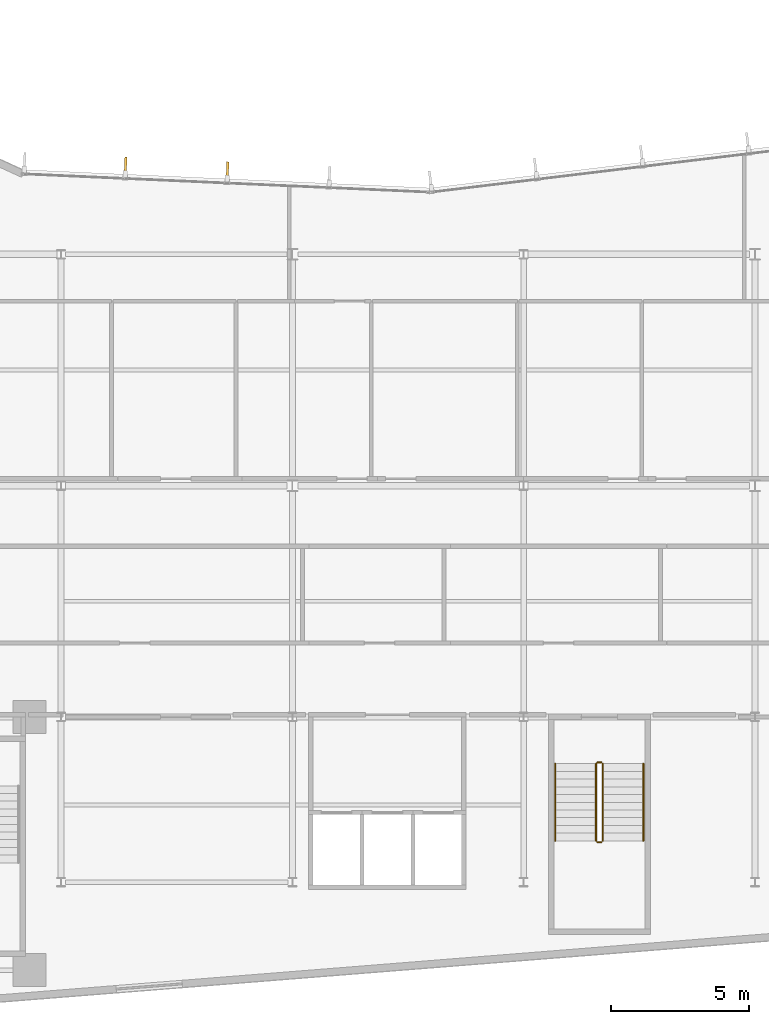
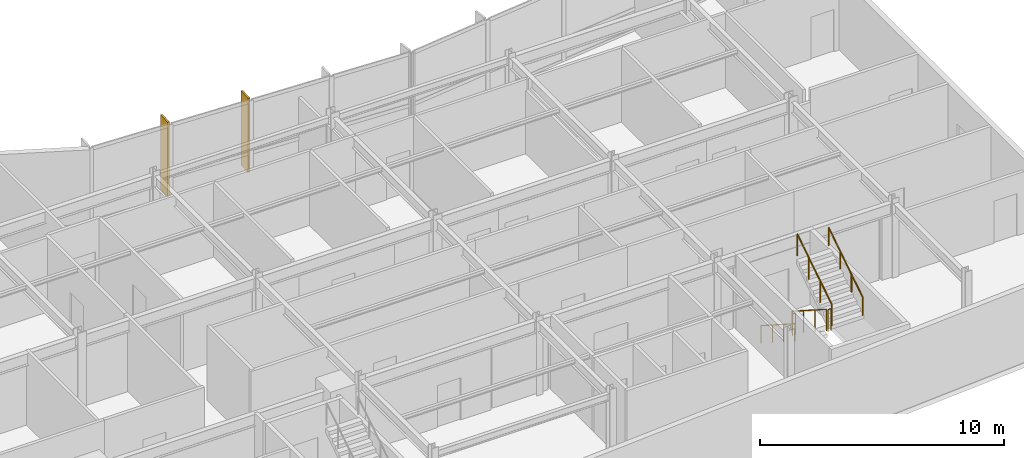
# One storey, part 14 of 17: 6 railings, 2 shading devices.
"""IFC4 building model written with IfcOpenShell, lengths in metres."""

from ifc_helpers import new_model, si_unit, direction, frame, origin, origin_2d, place, context, subcontext, project, spatial, rectangle, circle, extrude, material, layer, layer_set, type_object, element, save


model = new_model("IFC4")

# Units and contexts
model_context = context("Model", 3, precision=1e-05, world=origin(), true_north=direction((0.0, 1.0)))
body_context = subcontext(model_context, "Body", "Model", "MODEL_VIEW")
ifc_project = project(units=[si_unit("LENGTHUNIT", "METRE"), si_unit("AREAUNIT", "SQUARE_METRE"), si_unit("VOLUMEUNIT", "CUBIC_METRE"), si_unit("PLANEANGLEUNIT", "RADIAN"), si_unit("MASSUNIT", "GRAM", prefix="KILO")], contexts=[model_context])

# Site, building, storey
site_placement = place(None, origin())
site = spatial("IfcSite", under=ifc_project, at=site_placement, CompositionType="ELEMENT")
building_placement = place(site_placement, origin())
building = spatial("IfcBuilding", under=site, at=building_placement, Name="Varnakote Quay Hospital", CompositionType="ELEMENT")
storey_placement = place(building_placement, frame((0.0, 0.0, 134.949951171875)))
storey = spatial("IfcBuildingStorey", under=building, at=storey_placement, Name="L33", CompositionType="ELEMENT", Elevation=134.949951171875)

# Railings
ifc_material_1 = material(Name="Brushed stainless steel balustrade", Category="steel")
railing_type_1 = type_object("IfcRailingType", Name="RLG-STAIR-GUARD-1150", PredefinedType="GUARDRAIL", material=ifc_material_1)
railing_1_placement = place(storey_placement, frame((44.6298828125, 10.300048828125, 0.1796875)))
element("IfcRailing", 1, at=railing_1_placement, inside=storey, type_object=railing_type_1, Name="L33 ST-03 stair guard 1", PredefinedType="GUARDRAIL", context=body_context, shape_type="SweptSolid", body=[
    extrude(circle(Radius=0.02392578125, at=origin_2d()), frame((0.0, 0.0, 1.076171875), z_axis=(0.0, -0.841809871826, 0.539774156196), x_axis=(1.0, 0.0, 0.0)), (0.0, 0.0, 1.0), 3.326171875),
    extrude(circle(Radius=0.02099609375, at=origin_2d()), origin(), (0.0, 0.0, 1.0), 1.052001953125),
    extrude(circle(Radius=0.02099609375, at=origin_2d()), frame((0.0, -0.933349609375, 0.598388671875)), (0.0, 0.0, 1.0), 1.052001953125),
    extrude(circle(Radius=0.02099609375, at=origin_2d()), frame((0.0, -1.86669921875, 1.197021484375)), (0.0, 0.0, 1.0), 1.052001953125),
    extrude(circle(Radius=0.02099609375, at=origin_2d()), frame((0.0, -2.800048828125, 1.79541015625)), (0.0, 0.0, 1.0), 1.052001953125),
])
railing_2_placement = place(storey_placement, frame((44.679931640625, 7.449951171875, 1.97509765625)))
element("IfcRailing", 2, at=railing_2_placement, inside=storey, type_object=railing_type_1, Name="L33 ST-03 stair guard 2", PredefinedType="GUARDRAIL", context=body_context, shape_type="SweptSolid", body=[
    extrude(circle(Radius=0.02392578125, at=origin_2d()), frame((0.0, 0.0, 1.076171875), z_axis=(1.0, 0.0, 0.0), x_axis=(0.0, 1.0, 0.0)), (0.0, 0.0, 1.0), 0.14013671875),
    extrude(circle(Radius=0.02099609375, at=origin_2d()), origin(), (0.0, 0.0, 1.0), 1.052001953125),
    extrude(circle(Radius=0.02099609375, at=origin_2d()), frame((0.14013671875, 0.0, 0.0)), (0.0, 0.0, 1.0), 1.052001953125),
])
railing_3_placement = place(storey_placement, frame((44.8701171875, 7.5, 2.154541015625)))
element("IfcRailing", 3, at=railing_3_placement, inside=storey, type_object=railing_type_1, Name="L33 ST-03 stair guard 3", PredefinedType="GUARDRAIL", context=body_context, shape_type="SweptSolid", body=[
    extrude(circle(Radius=0.02392578125, at=origin_2d()), frame((0.0, 0.0, 1.076171875), z_axis=(0.0, 0.841809871826, 0.539774156196), x_axis=(-1.0, 0.0, 0.0)), (0.0, 0.0, 1.0), 3.326171875),
    extrude(circle(Radius=0.02099609375, at=origin_2d()), origin(), (0.0, 0.0, 1.0), 1.052001953125),
    extrude(circle(Radius=0.02099609375, at=origin_2d()), frame((0.0, 0.933349609375, 0.598388671875)), (0.0, 0.0, 1.0), 1.052001953125),
    extrude(circle(Radius=0.02099609375, at=origin_2d()), frame((0.0, 1.86669921875, 1.197021484375)), (0.0, 0.0, 1.0), 1.052001953125),
    extrude(circle(Radius=0.02099609375, at=origin_2d()), frame((0.0, 2.800048828125, 1.79541015625)), (0.0, 0.0, 1.0), 1.052001953125),
])
railing_4_placement = place(storey_placement, frame((44.679931640625, 10.35009765625, 0.0)))
element("IfcRailing", 4, at=railing_4_placement, inside=storey, type_object=railing_type_1, Name="L33 ST-03 stair guard 4", PredefinedType="GUARDRAIL", context=body_context, shape_type="SweptSolid", body=[
    extrude(circle(Radius=0.02392578125, at=origin_2d()), frame((0.0, 0.0, 1.076171875), z_axis=(1.0, 0.0, 0.0), x_axis=(0.0, 1.0, 0.0)), (0.0, 0.0, 1.0), 0.14013671875),
    extrude(circle(Radius=0.02099609375, at=origin_2d()), origin(), (0.0, 0.0, 1.0), 1.052001953125),
    extrude(circle(Radius=0.02099609375, at=origin_2d()), frame((0.14013671875, 0.0, 0.0)), (0.0, 0.0, 1.0), 1.052001953125),
])
ifc_material_2 = material(Name="Brushed stainless steel handrail", Category="steel")
railing_type_2 = type_object("IfcRailingType", Name="RLG-STAIR-HND-920", PredefinedType="HANDRAIL", material=ifc_material_2)
railing_5_placement = place(storey_placement, frame((43.14990234375, 10.300048828125, 0.1796875)))
element("IfcRailing", 5, at=railing_5_placement, inside=storey, type_object=railing_type_2, Name="L33 ST-03 stair handrail 1", PredefinedType="HANDRAIL", context=body_context, shape_type="SweptSolid", body=[
    extrude(circle(Radius=0.02392578125, at=origin_2d()), frame((0.0, 0.0, 0.8759765625), z_axis=(0.0, -0.841809871826, 0.539774156196), x_axis=(1.0, 0.0, 0.0)), (0.0, 0.0, 1.0), 3.326171875),
    extrude(circle(Radius=0.02099609375, at=origin_2d()), origin(), (0.0, 0.0, 1.0), 0.851806640625),
    extrude(circle(Radius=0.02099609375, at=origin_2d()), frame((0.0, -0.933349609375, 0.598388671875)), (0.0, 0.0, 1.0), 0.851806640625),
    extrude(circle(Radius=0.02099609375, at=origin_2d()), frame((0.0, -1.86669921875, 1.197021484375)), (0.0, 0.0, 1.0), 0.851806640625),
    extrude(circle(Radius=0.02099609375, at=origin_2d()), frame((0.0, -2.800048828125, 1.79541015625)), (0.0, 0.0, 1.0), 0.851806640625),
])
railing_6_placement = place(storey_placement, frame((46.35009765625, 7.5, 2.154541015625)))
element("IfcRailing", 6, at=railing_6_placement, inside=storey, type_object=railing_type_2, Name="L33 ST-03 stair handrail 2", PredefinedType="HANDRAIL", context=body_context, shape_type="SweptSolid", body=[
    extrude(circle(Radius=0.02392578125, at=origin_2d()), frame((0.0, 0.0, 0.8759765625), z_axis=(0.0, 0.841809871826, 0.539774156196), x_axis=(-1.0, 0.0, 0.0)), (0.0, 0.0, 1.0), 3.326171875),
    extrude(circle(Radius=0.02099609375, at=origin_2d()), origin(), (0.0, 0.0, 1.0), 0.851806640625),
    extrude(circle(Radius=0.02099609375, at=origin_2d()), frame((0.0, 0.933349609375, 0.598388671875)), (0.0, 0.0, 1.0), 0.851806640625),
    extrude(circle(Radius=0.02099609375, at=origin_2d()), frame((0.0, 1.86669921875, 1.197021484375)), (0.0, 0.0, 1.0), 0.851806640625),
    extrude(circle(Radius=0.02099609375, at=origin_2d()), frame((0.0, 2.800048828125, 1.79541015625)), (0.0, 0.0, 1.0), 0.851806640625),
])

# Shading devices
ifc_material_3 = material(Name="Anodised aluminium 6063-T6 Bronze", Category="aluminium")
ifc_layer = layer(ifc_material_3, 0.0849609375)
ifc_layer_set = layer_set([ifc_layer], Name="Anodised aluminium 6063-T6 Bronze")
shading_device_type = type_object("IfcShadingDeviceType", Name="SHD-BRONZE-FIN-620", PredefinedType="USERDEFINED", material=ifc_layer_set)
for number, where, z_axis, x_axis, name in (
    (7, (31.244873046875, 31.85302734375, 0.0), (0.0, 0.0, 1.0), (-0.044839922168, -0.998994184858, 0.0), "L33 Anodised Bronze Vertical Shading FIN"),
    (8, (27.541748046875, 32.01904296875, 0.0), (0.0, 0.0, 1.0), (-0.044839922168, -0.998994184858, 0.0), "L33 Anodised Bronze Vertical Shading FIN"),
):
    element("IfcShadingDevice", number, at=place(storey_placement, frame(where, z_axis=z_axis, x_axis=x_axis)), inside=storey, type_object=shading_device_type, Name=name, ObjectType="FIN", PredefinedType="USERDEFINED", context=body_context, shape_type="SweptSolid", body=[
        extrude(rectangle(XDim=0.6201171875, YDim=0.0849609375, at=origin_2d()), origin(), (0.0, 0.0, 1.0), 3.7099609375),
    ])

save(model, "model.ifc")
